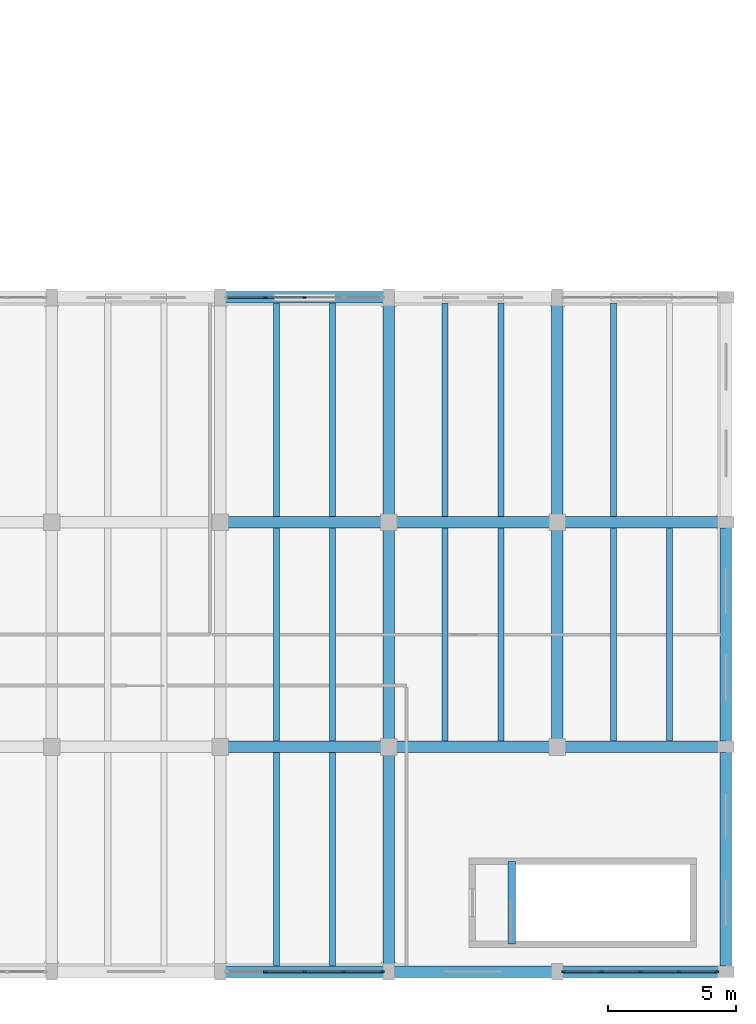
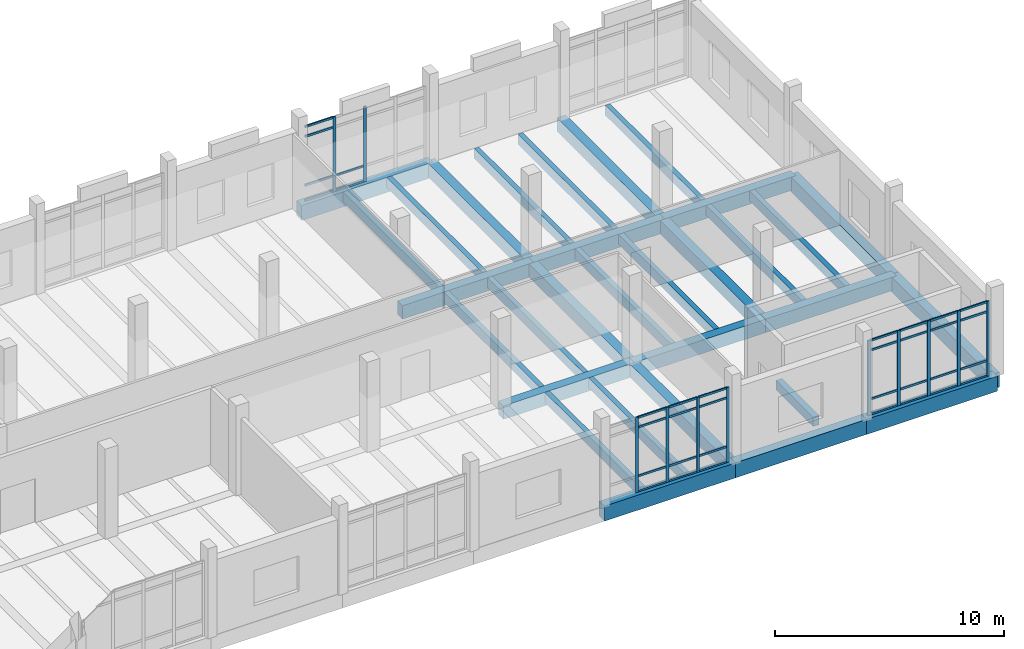
# One storey, part 26 of 76: 45 members, 31 beams, 3 elements without a shape of their own.
"""IFC4 building model written with IfcOpenShell, lengths in metres."""

from ifc_helpers import new_model, si_unit, direction, frame, origin, origin_2d, place, context, subcontext, project, spatial, rectangle, extrude, material, material_profile, profile_set, type_object, element, aggregate, save


model = new_model("IFC4")

# Units and contexts
model_context = context("Model", 3, precision=1e-05, world=origin(), true_north=direction((0.0, 1.0)))
body_context = subcontext(model_context, "Body", "Model", "MODEL_VIEW")
ifc_project = project(units=[si_unit("LENGTHUNIT", "METRE"), si_unit("AREAUNIT", "SQUARE_METRE"), si_unit("VOLUMEUNIT", "CUBIC_METRE"), si_unit("PLANEANGLEUNIT", "RADIAN"), si_unit("MASSUNIT", "GRAM", prefix="KILO")], contexts=[model_context])

# Site, building, storey
site_placement = place(None, origin())
site = spatial("IfcSite", under=ifc_project, at=site_placement, CompositionType="ELEMENT")
building_placement = place(site_placement, origin())
building = spatial("IfcBuilding", under=site, at=building_placement, Name="Dornvale Research Institute", CompositionType="ELEMENT")
storey_placement = place(building_placement, frame((0.0, 0.0, 15.0)))
storey = spatial("IfcBuildingStorey", under=building, at=storey_placement, Name="L03", CompositionType="ELEMENT", Elevation=15.0)

# Beams
ifc_material_1 = material(Name="Concrete f'c 45 MPa (C35/45)", Category="concrete")
ifc_material_profile_1 = material_profile(ifc_material_1, rectangle(XDim=0.300048828125, YDim=0.5, at=origin_2d()), Name="RC 300x500")
ifc_profile_set_1 = profile_set([ifc_material_profile_1], Name="Concrete f'c 45 MPa (C35/45)")
beam_type_1 = type_object("IfcBeamType", Name="Beam_RC300x500_Trim", PredefinedType="BEAM", material=ifc_profile_set_1)
beam_1_placement = place(storey_placement, frame((169.820068359375, 1.080078125, -0.25), z_axis=(0.0, 1.0, 0.0), x_axis=(-1.0, 0.0, 0.0)))
element("IfcBeam", 1, at=beam_1_placement, inside=storey, type_object=beam_type_1, Name="L03 ST-6 stair landing trimmer beam #89", PredefinedType="BEAM", context=body_context, shape_type="SweptSolid", body=[
    extrude(rectangle(XDim=0.300048828125, YDim=0.5, at=origin_2d()), origin(), (0.0, 0.0, 1.0), 3.239990234375),
])
ifc_material_2 = material(Name="Concrete f'c 45 MPa (C35/45)", Category="concrete")
ifc_material_profile_2 = material_profile(ifc_material_2, rectangle(XDim=0.449951171875, YDim=0.715087890625, at=origin_2d()), Name="RC 450x715")
ifc_profile_set_2 = profile_set([ifc_material_profile_2], Name="Concrete f'c 45 MPa (C35/45)")
beam_type_2 = type_object("IfcBeamType", Name="Beam_RC450x715_Lab", PredefinedType="BEAM", material=ifc_profile_set_2)
for number, where, z_axis, x_axis, name in (
    (2, (158.39990234375, 8.800048828125, -0.357421875), (1.0, 0.0, 0.0), (0.0, 1.0, 0.0), "L03 primary girder #1000"),
    (3, (165.0, 8.800048828125, -0.357421875), (1.0, 0.0, 0.0), (0.0, 1.0, 0.0), "L03 primary girder #1001"),
):
    element("IfcBeam", number, at=place(storey_placement, frame(where, z_axis=z_axis, x_axis=x_axis)), inside=storey, type_object=beam_type_2, Name=name, PredefinedType="BEAM", context=body_context, shape_type="SweptSolid", body=[
        extrude(rectangle(XDim=0.449951171875, YDim=0.715087890625, at=origin_2d()), origin(), (0.0, 0.0, 1.0), 6.60009765625),
    ])
beam_2_placement = place(storey_placement, frame((171.60009765625, 8.800048828125, -0.357421875), z_axis=(1.0, 0.0, 0.0), x_axis=(0.0, 1.0, 0.0)))
element("IfcBeam", 4, at=beam_2_placement, inside=storey, type_object=beam_type_2, Name="L03 primary girder #1002", PredefinedType="BEAM", context=body_context, shape_type="SweptSolid", body=[
    extrude(rectangle(XDim=0.449951171875, YDim=0.715087890625, at=origin_2d()), origin(), (0.0, 0.0, 1.0), 6.599853515625),
])
for number, where, z_axis, x_axis, name in (
    (5, (158.39990234375, 17.60009765625, -0.357421875), (1.0, 0.0, 0.0), (0.0, 1.0, 0.0), "L03 primary girder #1012"),
    (6, (165.0, 17.60009765625, -0.357421875), (1.0, 0.0, 0.0), (0.0, 1.0, 0.0), "L03 primary girder #1013"),
):
    element("IfcBeam", number, at=place(storey_placement, frame(where, z_axis=z_axis, x_axis=x_axis)), inside=storey, type_object=beam_type_2, Name=name, PredefinedType="BEAM", context=body_context, shape_type="SweptSolid", body=[
        extrude(rectangle(XDim=0.449951171875, YDim=0.715087890625, at=origin_2d()), origin(), (0.0, 0.0, 1.0), 6.60009765625),
    ])
beam_3_placement = place(storey_placement, frame((171.60009765625, 17.60009765625, -0.357421875), z_axis=(1.0, 0.0, 0.0), x_axis=(0.0, 1.0, 0.0)))
element("IfcBeam", 7, at=beam_3_placement, inside=storey, type_object=beam_type_2, Name="L03 primary girder #1014", PredefinedType="BEAM", context=body_context, shape_type="SweptSolid", body=[
    extrude(rectangle(XDim=0.449951171875, YDim=0.715087890625, at=origin_2d()), origin(), (0.0, 0.0, 1.0), 6.599853515625),
])
for number, where, z_axis, x_axis, name in (
    (8, (165.0, 0.0, -0.357421875), (0.0, 1.0, 0.0), (-1.0, 0.0, 0.0), "L03 transverse girder #1056"),
    (9, (165.0, 8.800048828125, -0.357421875), (0.0, 1.0, 0.0), (-1.0, 0.0, 0.0), "L03 transverse girder #1057"),
):
    element("IfcBeam", number, at=place(storey_placement, frame(where, z_axis=z_axis, x_axis=x_axis)), inside=storey, type_object=beam_type_2, Name=name, PredefinedType="BEAM", context=body_context, shape_type="SweptSolid", body=[
        extrude(rectangle(XDim=0.449951171875, YDim=0.715087890625, at=origin_2d()), origin(), (0.0, 0.0, 1.0), 8.800048828125),
    ])
beam_4_placement = place(storey_placement, frame((165.0, 17.60009765625, -0.357421875), z_axis=(0.0, 1.0, 0.0), x_axis=(-1.0, 0.0, 0.0)))
element("IfcBeam", 10, at=beam_4_placement, inside=storey, type_object=beam_type_2, Name="L03 transverse girder #1058", PredefinedType="BEAM", context=body_context, shape_type="SweptSolid", body=[
    extrude(rectangle(XDim=0.449951171875, YDim=0.715087890625, at=origin_2d()), origin(), (0.0, 0.0, 1.0), 8.7998046875),
])
beam_5_placement = place(storey_placement, frame((171.60009765625, 8.800048828125, -0.357421875), z_axis=(0.0, 1.0, 0.0), x_axis=(-1.0, 0.0, 0.0)))
element("IfcBeam", 11, at=beam_5_placement, inside=storey, type_object=beam_type_2, Name="L03 transverse girder #1059", PredefinedType="BEAM", context=body_context, shape_type="SweptSolid", body=[
    extrude(rectangle(XDim=0.449951171875, YDim=0.715087890625, at=origin_2d()), origin(), (0.0, 0.0, 1.0), 8.800048828125),
])
beam_6_placement = place(storey_placement, frame((171.60009765625, 17.60009765625, -0.357421875), z_axis=(0.0, 1.0, 0.0), x_axis=(-1.0, 0.0, 0.0)))
element("IfcBeam", 12, at=beam_6_placement, inside=storey, type_object=beam_type_2, Name="L03 transverse girder #1060", PredefinedType="BEAM", context=body_context, shape_type="SweptSolid", body=[
    extrude(rectangle(XDim=0.449951171875, YDim=0.715087890625, at=origin_2d()), origin(), (0.0, 0.0, 1.0), 8.7998046875),
])
ifc_material_3 = material(Name="Concrete f'c 45 MPa (C35/45)", Category="concrete")
ifc_material_profile_3 = material_profile(ifc_material_3, rectangle(XDim=0.239990234375, YDim=0.534912109375, at=origin_2d()), Name="RC 240x535")
ifc_profile_set_3 = profile_set([ifc_material_profile_3], Name="Concrete f'c 45 MPa (C35/45)")
beam_type_3 = type_object("IfcBeamType", Name="Joist_RC240x535_Waffle", PredefinedType="JOIST", material=ifc_profile_set_3)
for number, where, z_axis, x_axis, name in (
    (13, (160.60009765625, 0.22509765625, -0.267578125), (0.0, 1.0, 0.0), (-1.0, 0.0, 0.0), "L03 laboratory waffle joist #539"),
    (14, (162.800048828125, 0.22509765625, -0.267578125), (0.0, 1.0, 0.0), (-1.0, 0.0, 0.0), "L03 laboratory waffle joist #540"),
):
    element("IfcBeam", number, at=place(storey_placement, frame(where, z_axis=z_axis, x_axis=x_axis)), inside=storey, type_object=beam_type_3, Name=name, PredefinedType="JOIST", context=body_context, shape_type="SweptSolid", body=[
        extrude(rectangle(XDim=0.239990234375, YDim=0.534912109375, at=origin_2d()), origin(), (0.0, 0.0, 1.0), 8.349853515625),
    ])
for number, where, z_axis, x_axis, name in (
    (15, (160.60009765625, 9.02490234375, -0.267578125), (0.0, 1.0, 0.0), (-1.0, 0.0, 0.0), "L03 laboratory waffle joist #541"),
    (16, (162.800048828125, 9.02490234375, -0.267578125), (0.0, 1.0, 0.0), (-1.0, 0.0, 0.0), "L03 laboratory waffle joist #542"),
    (17, (160.60009765625, 17.824951171875, -0.267578125), (0.0, 1.0, 0.0), (-1.0, 0.0, 0.0), "L03 laboratory waffle joist #543"),
    (18, (162.800048828125, 17.824951171875, -0.267578125), (0.0, 1.0, 0.0), (-1.0, 0.0, 0.0), "L03 laboratory waffle joist #544"),
    (19, (167.199951171875, 9.02490234375, -0.267578125), (0.0, 1.0, 0.0), (-1.0, 0.0, 0.0), "L03 laboratory waffle joist #545"),
    (20, (169.39990234375, 9.02490234375, -0.267578125), (0.0, 1.0, 0.0), (-1.0, 0.0, 0.0), "L03 laboratory waffle joist #546"),
    (21, (167.199951171875, 17.824951171875, -0.267578125), (0.0, 1.0, 0.0), (-1.0, 0.0, 0.0), "L03 laboratory waffle joist #547"),
    (22, (169.39990234375, 17.824951171875, -0.267578125), (0.0, 1.0, 0.0), (-1.0, 0.0, 0.0), "L03 laboratory waffle joist #548"),
    (23, (173.800048828125, 9.02490234375, -0.267578125), (0.0, 1.0, 0.0), (-1.0, 0.0, 0.0), "L03 laboratory waffle joist #549"),
    (24, (176.0, 9.02490234375, -0.267578125), (0.0, 1.0, 0.0), (-1.0, 0.0, 0.0), "L03 laboratory waffle joist #550"),
    (25, (173.800048828125, 17.824951171875, -0.267578125), (0.0, 1.0, 0.0), (-1.0, 0.0, 0.0), "L03 laboratory waffle joist #551"),
):
    element("IfcBeam", number, at=place(storey_placement, frame(where, z_axis=z_axis, x_axis=x_axis)), inside=storey, type_object=beam_type_3, Name=name, PredefinedType="JOIST", context=body_context, shape_type="SweptSolid", body=[
        extrude(rectangle(XDim=0.239990234375, YDim=0.534912109375, at=origin_2d()), origin(), (0.0, 0.0, 1.0), 8.35009765625),
    ])

# Curtain wall, members
ifc_material_4 = material(Name="Low-E Argon Double Insulating Glazing Unit", Category="glass")
curtain_wall_type_1 = type_object("IfcCurtainWallType", Name="UnitisedCurtainWall_V3_6150x4000", PredefinedType="USERDEFINED", material=ifc_material_4)
curtain_wall_1_placement = place(storey_placement, origin())
curtain_wall_1 = element("IfcCurtainWall", 26, at=curtain_wall_1_placement, inside=storey, type_object=curtain_wall_type_1, Name="L03 V3 unitised curtain wall CW-06 #58", ObjectType="UNITISED CURTAIN WALL", PredefinedType="USERDEFINED")
ifc_material_5 = material(Name="Anodized Aluminum AA 6063-T6 Thermally Broken Frame", Category="aluminium")
ifc_material_profile_4 = material_profile(ifc_material_5, rectangle(XDim=0.06494140625, YDim=0.14990234375, at=origin_2d()), Name="ALU MULLION 65x150")
ifc_profile_set_4 = profile_set([ifc_material_profile_4], Name="Anodized Aluminum AA 6063-T6 Thermally Broken Frame")
member_type_1 = type_object("IfcMemberType", Name="Mullion_CW_65x150", PredefinedType="MULLION", material=ifc_profile_set_4)
member_1_placement = place(storey_placement, frame((160.16259765625, 26.39990234375, 0.0), z_axis=(0.0, 0.0, 1.0), x_axis=(0.0, 1.0, 0.0)))
member_1 = element("IfcMember", 27, at=member_1_placement, type_object=member_type_1, Name="CW-06 mullion 2", PredefinedType="MULLION", context=body_context, shape_type="SweptSolid", body=[
    extrude(rectangle(XDim=0.06494140625, YDim=0.14990234375, at=origin_2d()), origin(), (0.0, 0.0, 1.0), 4.0),
])
member_2_placement = place(storey_placement, frame((161.699951171875, 26.39990234375, 0.0), z_axis=(0.0, 0.0, 1.0), x_axis=(0.0, 1.0, 0.0)))
member_2 = element("IfcMember", 28, at=member_2_placement, type_object=member_type_1, Name="CW-06 mullion 3", PredefinedType="MULLION", context=body_context, shape_type="SweptSolid", body=[
    extrude(rectangle(XDim=0.06494140625, YDim=0.14990234375, at=origin_2d()), origin(), (0.0, 0.0, 1.0), 4.0),
])

ifc_material_6 = material(Name="Low-E Argon Double Insulating Glazing Unit", Category="glass")
curtain_wall_type_2 = type_object("IfcCurtainWallType", Name="UnitisedCurtainWall_V3_6050x4000", PredefinedType="USERDEFINED", material=ifc_material_6)
curtain_wall_2_placement = place(storey_placement, origin())
curtain_wall_2 = element("IfcCurtainWall", 29, at=curtain_wall_2_placement, inside=storey, type_object=curtain_wall_type_2, Name="L03 V3 unitised curtain wall CW-07 #60", ObjectType="UNITISED CURTAIN WALL", PredefinedType="USERDEFINED")
member_3_placement = place(storey_placement, frame((177.842529296875, 0.0, 0.0), z_axis=(0.0, 0.0, 1.0), x_axis=(0.0, -1.0, 0.0)))
member_3 = element("IfcMember", 30, at=member_3_placement, type_object=member_type_1, Name="CW-07 mullion 1", PredefinedType="MULLION", context=body_context, shape_type="SweptSolid", body=[
    extrude(rectangle(XDim=0.06494140625, YDim=0.14990234375, at=origin_2d()), origin(), (0.0, 0.0, 1.0), 4.0),
])
member_4_placement = place(storey_placement, frame((176.362548828125, 0.0, 0.0), z_axis=(0.0, 0.0, 1.0), x_axis=(0.0, -1.0, 0.0)))
member_4 = element("IfcMember", 31, at=member_4_placement, type_object=member_type_1, Name="CW-07 mullion 2", PredefinedType="MULLION", context=body_context, shape_type="SweptSolid", body=[
    extrude(rectangle(XDim=0.06494140625, YDim=0.14990234375, at=origin_2d()), origin(), (0.0, 0.0, 1.0), 4.0),
])
member_5_placement = place(storey_placement, frame((174.85009765625, 0.0, 0.0), z_axis=(0.0, 0.0, 1.0), x_axis=(0.0, -1.0, 0.0)))
member_5 = element("IfcMember", 32, at=member_5_placement, type_object=member_type_1, Name="CW-07 mullion 3", PredefinedType="MULLION", context=body_context, shape_type="SweptSolid", body=[
    extrude(rectangle(XDim=0.06494140625, YDim=0.14990234375, at=origin_2d()), origin(), (0.0, 0.0, 1.0), 4.0),
])
member_6_placement = place(storey_placement, frame((173.33740234375, 0.0, 0.0), z_axis=(0.0, 0.0, 1.0), x_axis=(0.0, -1.0, 0.0)))
member_6 = element("IfcMember", 33, at=member_6_placement, type_object=member_type_1, Name="CW-07 mullion 4", PredefinedType="MULLION", context=body_context, shape_type="SweptSolid", body=[
    extrude(rectangle(XDim=0.06494140625, YDim=0.14990234375, at=origin_2d()), origin(), (0.0, 0.0, 1.0), 4.0),
])
member_7_placement = place(storey_placement, frame((171.857421875, 0.0, 0.0), z_axis=(0.0, 0.0, 1.0), x_axis=(0.0, -1.0, 0.0)))
member_7 = element("IfcMember", 34, at=member_7_placement, type_object=member_type_1, Name="CW-07 mullion 5", PredefinedType="MULLION", context=body_context, shape_type="SweptSolid", body=[
    extrude(rectangle(XDim=0.06494140625, YDim=0.14990234375, at=origin_2d()), origin(), (0.0, 0.0, 1.0), 4.0),
])

curtain_wall_3_placement = place(storey_placement, origin())
curtain_wall_3 = element("IfcCurtainWall", 35, at=curtain_wall_3_placement, inside=storey, type_object=curtain_wall_type_1, Name="L03 V3 unitised curtain wall CW-06 #61", ObjectType="UNITISED CURTAIN WALL", PredefinedType="USERDEFINED")
member_8_placement = place(storey_placement, frame((164.742431640625, 0.0, 0.0), z_axis=(0.0, 0.0, 1.0), x_axis=(0.0, -1.0, 0.0)))
member_8 = element("IfcMember", 36, at=member_8_placement, type_object=member_type_1, Name="CW-06 mullion 1", PredefinedType="MULLION", context=body_context, shape_type="SweptSolid", body=[
    extrude(rectangle(XDim=0.06494140625, YDim=0.14990234375, at=origin_2d()), origin(), (0.0, 0.0, 1.0), 4.0),
])
member_9_placement = place(storey_placement, frame((163.237548828125, 0.0, 0.0), z_axis=(0.0, 0.0, 1.0), x_axis=(0.0, -1.0, 0.0)))
member_9 = element("IfcMember", 37, at=member_9_placement, type_object=member_type_1, Name="CW-06 mullion 2", PredefinedType="MULLION", context=body_context, shape_type="SweptSolid", body=[
    extrude(rectangle(XDim=0.06494140625, YDim=0.14990234375, at=origin_2d()), origin(), (0.0, 0.0, 1.0), 4.0),
])
member_10_placement = place(storey_placement, frame((161.699951171875, 0.0, 0.0), z_axis=(0.0, 0.0, 1.0), x_axis=(0.0, -1.0, 0.0)))
member_10 = element("IfcMember", 38, at=member_10_placement, type_object=member_type_1, Name="CW-06 mullion 3", PredefinedType="MULLION", context=body_context, shape_type="SweptSolid", body=[
    extrude(rectangle(XDim=0.06494140625, YDim=0.14990234375, at=origin_2d()), origin(), (0.0, 0.0, 1.0), 4.0),
])
member_11_placement = place(storey_placement, frame((160.16259765625, 0.0, 0.0), z_axis=(0.0, 0.0, 1.0), x_axis=(0.0, -1.0, 0.0)))
member_11 = element("IfcMember", 39, at=member_11_placement, type_object=member_type_1, Name="CW-06 mullion 4", PredefinedType="MULLION", context=body_context, shape_type="SweptSolid", body=[
    extrude(rectangle(XDim=0.06494140625, YDim=0.14990234375, at=origin_2d()), origin(), (0.0, 0.0, 1.0), 4.0),
])

# Beams
ifc_material_7 = material(Name="Concrete f'c 45 MPa (C35/45)", Category="concrete")
ifc_material_profile_5 = material_profile(ifc_material_7, rectangle(XDim=0.449951171875, YDim=0.800048828125, at=origin_2d()), Name="RC 450x800")
ifc_profile_set_5 = profile_set([ifc_material_profile_5], Name="Concrete f'c 45 MPa (C35/45)")
beam_type_4 = type_object("IfcBeamType", Name="Spandrel_RC450x800_Ext", PredefinedType="SPANDREL", material=ifc_profile_set_5)
for number, where, z_axis, x_axis, name in (
    (40, (158.39990234375, 0.0, -0.39990234375), (1.0, 0.0, 0.0), (0.0, 1.0, 0.0), "L03 perimeter spandrel #988"),
    (41, (165.0, 0.0, -0.39990234375), (1.0, 0.0, 0.0), (0.0, 1.0, 0.0), "L03 perimeter spandrel #989"),
):
    element("IfcBeam", number, at=place(storey_placement, frame(where, z_axis=z_axis, x_axis=x_axis)), inside=storey, type_object=beam_type_4, Name=name, PredefinedType="SPANDREL", context=body_context, shape_type="SweptSolid", body=[
        extrude(rectangle(XDim=0.449951171875, YDim=0.800048828125, at=origin_2d()), origin(), (0.0, 0.0, 1.0), 6.60009765625),
    ])
beam_7_placement = place(storey_placement, frame((171.60009765625, 0.0, -0.39990234375), z_axis=(1.0, 0.0, 0.0), x_axis=(0.0, 1.0, 0.0)))
element("IfcBeam", 42, at=beam_7_placement, inside=storey, type_object=beam_type_4, Name="L03 perimeter spandrel #990", PredefinedType="SPANDREL", context=body_context, shape_type="SweptSolid", body=[
    extrude(rectangle(XDim=0.449951171875, YDim=0.800048828125, at=origin_2d()), origin(), (0.0, 0.0, 1.0), 6.599853515625),
])
beam_8_placement = place(storey_placement, frame((158.39990234375, 26.39990234375, -0.39990234375), z_axis=(1.0, 0.0, 0.0), x_axis=(0.0, 1.0, 0.0)))
element("IfcBeam", 43, at=beam_8_placement, inside=storey, type_object=beam_type_4, Name="L03 perimeter spandrel #1024", PredefinedType="SPANDREL", context=body_context, shape_type="SweptSolid", body=[
    extrude(rectangle(XDim=0.449951171875, YDim=0.800048828125, at=origin_2d()), origin(), (0.0, 0.0, 1.0), 6.60009765625),
])
for number, where, z_axis, x_axis, name in (
    (44, (178.199951171875, 0.0, -0.39990234375), (0.0, 1.0, 0.0), (-1.0, 0.0, 0.0), "L03 perimeter spandrel #1061"),
    (45, (178.199951171875, 8.800048828125, -0.39990234375), (0.0, 1.0, 0.0), (-1.0, 0.0, 0.0), "L03 perimeter spandrel #1062"),
):
    element("IfcBeam", number, at=place(storey_placement, frame(where, z_axis=z_axis, x_axis=x_axis)), inside=storey, type_object=beam_type_4, Name=name, PredefinedType="SPANDREL", context=body_context, shape_type="SweptSolid", body=[
        extrude(rectangle(XDim=0.449951171875, YDim=0.800048828125, at=origin_2d()), origin(), (0.0, 0.0, 1.0), 8.800048828125),
    ])

# Member
ifc_material_8 = material(Name="Anodized Aluminum AA 6063-T6 Thermally Broken Frame", Category="aluminium")
ifc_material_profile_6 = material_profile(ifc_material_8, rectangle(XDim=0.06494140625, YDim=0.110107421875, at=origin_2d()), Name="ALU TRANSOM 65x110")
ifc_profile_set_6 = profile_set([ifc_material_profile_6], Name="Anodized Aluminum AA 6063-T6 Thermally Broken Frame")
member_type_2 = type_object("IfcMemberType", Name="Transom_CW_65x110", PredefinedType="USERDEFINED", material=ifc_profile_set_6)
member_12_placement = place(storey_placement, frame((158.68994140625, 26.39990234375, 0.032470703125), z_axis=(1.0, 0.0, 0.0), x_axis=(0.0, 1.0, 0.0)))
member_12 = element("IfcMember", 46, at=member_12_placement, type_object=member_type_2, Name="CW-06 transom 1.1", ObjectType="TRANSOM", PredefinedType="USERDEFINED", context=body_context, shape_type="SweptSolid", body=[
    extrude(rectangle(XDim=0.06494140625, YDim=0.110107421875, at=origin_2d()), origin(), (0.0, 0.0, 1.0), 1.43994140625),
])

member_13_placement = place(storey_placement, frame((158.68994140625, 26.39990234375, 0.85009765625), z_axis=(1.0, 0.0, 0.0), x_axis=(0.0, 1.0, 0.0)))
member_13 = element("IfcMember", 47, at=member_13_placement, type_object=member_type_2, Name="CW-06 transom 1.2", ObjectType="TRANSOM", PredefinedType="USERDEFINED", context=body_context, shape_type="SweptSolid", body=[
    extrude(rectangle(XDim=0.06494140625, YDim=0.110107421875, at=origin_2d()), origin(), (0.0, 0.0, 1.0), 1.43994140625),
])

member_14_placement = place(storey_placement, frame((158.68994140625, 26.39990234375, 3.449951171875), z_axis=(1.0, 0.0, 0.0), x_axis=(0.0, 1.0, 0.0)))
member_14 = element("IfcMember", 48, at=member_14_placement, type_object=member_type_2, Name="CW-06 transom 1.3", ObjectType="TRANSOM", PredefinedType="USERDEFINED", context=body_context, shape_type="SweptSolid", body=[
    extrude(rectangle(XDim=0.06494140625, YDim=0.110107421875, at=origin_2d()), origin(), (0.0, 0.0, 1.0), 1.43994140625),
])

member_15_placement = place(storey_placement, frame((158.68994140625, 26.39990234375, 3.967529296875), z_axis=(1.0, 0.0, 0.0), x_axis=(0.0, 1.0, 0.0)))
member_15 = element("IfcMember", 49, at=member_15_placement, type_object=member_type_2, Name="CW-06 transom 1.4", ObjectType="TRANSOM", PredefinedType="USERDEFINED", context=body_context, shape_type="SweptSolid", body=[
    extrude(rectangle(XDim=0.06494140625, YDim=0.110107421875, at=origin_2d()), origin(), (0.0, 0.0, 1.0), 1.43994140625),
])

member_16_placement = place(storey_placement, frame((160.195068359375, 26.39990234375, 0.032470703125), z_axis=(1.0, 0.0, 0.0), x_axis=(0.0, 1.0, 0.0)))
member_16 = element("IfcMember", 50, at=member_16_placement, type_object=member_type_2, Name="CW-06 transom 2.1", ObjectType="TRANSOM", PredefinedType="USERDEFINED", context=body_context, shape_type="SweptSolid", body=[
    extrude(rectangle(XDim=0.06494140625, YDim=0.110107421875, at=origin_2d()), origin(), (0.0, 0.0, 1.0), 1.472412109375),
])

member_17_placement = place(storey_placement, frame((160.195068359375, 26.39990234375, 0.85009765625), z_axis=(1.0, 0.0, 0.0), x_axis=(0.0, 1.0, 0.0)))
member_17 = element("IfcMember", 51, at=member_17_placement, type_object=member_type_2, Name="CW-06 transom 2.2", ObjectType="TRANSOM", PredefinedType="USERDEFINED", context=body_context, shape_type="SweptSolid", body=[
    extrude(rectangle(XDim=0.06494140625, YDim=0.110107421875, at=origin_2d()), origin(), (0.0, 0.0, 1.0), 1.472412109375),
])

aggregate(curtain_wall_1, [member_1, member_2, member_12, member_13, member_14, member_15, member_16, member_17])

member_18_placement = place(storey_placement, frame((177.81005859375, 0.0, 0.032470703125), z_axis=(-1.0, 0.0, 0.0), x_axis=(0.0, -1.0, 0.0)))
member_18 = element("IfcMember", 52, at=member_18_placement, type_object=member_type_2, Name="CW-07 transom 1.1", ObjectType="TRANSOM", PredefinedType="USERDEFINED", context=body_context, shape_type="SweptSolid", body=[
    extrude(rectangle(XDim=0.06494140625, YDim=0.110107421875, at=origin_2d()), origin(), (0.0, 0.0, 1.0), 1.4150390625),
])

member_19_placement = place(storey_placement, frame((177.81005859375, 0.0, 0.85009765625), z_axis=(-1.0, 0.0, 0.0), x_axis=(0.0, -1.0, 0.0)))
member_19 = element("IfcMember", 53, at=member_19_placement, type_object=member_type_2, Name="CW-07 transom 1.2", ObjectType="TRANSOM", PredefinedType="USERDEFINED", context=body_context, shape_type="SweptSolid", body=[
    extrude(rectangle(XDim=0.06494140625, YDim=0.110107421875, at=origin_2d()), origin(), (0.0, 0.0, 1.0), 1.4150390625),
])

member_20_placement = place(storey_placement, frame((177.81005859375, 0.0, 3.449951171875), z_axis=(-1.0, 0.0, 0.0), x_axis=(0.0, -1.0, 0.0)))
member_20 = element("IfcMember", 54, at=member_20_placement, type_object=member_type_2, Name="CW-07 transom 1.3", ObjectType="TRANSOM", PredefinedType="USERDEFINED", context=body_context, shape_type="SweptSolid", body=[
    extrude(rectangle(XDim=0.06494140625, YDim=0.110107421875, at=origin_2d()), origin(), (0.0, 0.0, 1.0), 1.4150390625),
])

member_21_placement = place(storey_placement, frame((177.81005859375, 0.0, 3.967529296875), z_axis=(-1.0, 0.0, 0.0), x_axis=(0.0, -1.0, 0.0)))
member_21 = element("IfcMember", 55, at=member_21_placement, type_object=member_type_2, Name="CW-07 transom 1.4", ObjectType="TRANSOM", PredefinedType="USERDEFINED", context=body_context, shape_type="SweptSolid", body=[
    extrude(rectangle(XDim=0.06494140625, YDim=0.110107421875, at=origin_2d()), origin(), (0.0, 0.0, 1.0), 1.4150390625),
])

member_22_placement = place(storey_placement, frame((176.330078125, 0.0, 0.032470703125), z_axis=(-1.0, 0.0, 0.0), x_axis=(0.0, -1.0, 0.0)))
member_22 = element("IfcMember", 56, at=member_22_placement, type_object=member_type_2, Name="CW-07 transom 2.1", ObjectType="TRANSOM", PredefinedType="USERDEFINED", context=body_context, shape_type="SweptSolid", body=[
    extrude(rectangle(XDim=0.06494140625, YDim=0.110107421875, at=origin_2d()), origin(), (0.0, 0.0, 1.0), 1.447509765625),
])

member_23_placement = place(storey_placement, frame((176.330078125, 0.0, 0.85009765625), z_axis=(-1.0, 0.0, 0.0), x_axis=(0.0, -1.0, 0.0)))
member_23 = element("IfcMember", 57, at=member_23_placement, type_object=member_type_2, Name="CW-07 transom 2.2", ObjectType="TRANSOM", PredefinedType="USERDEFINED", context=body_context, shape_type="SweptSolid", body=[
    extrude(rectangle(XDim=0.06494140625, YDim=0.110107421875, at=origin_2d()), origin(), (0.0, 0.0, 1.0), 1.447509765625),
])

member_24_placement = place(storey_placement, frame((176.330078125, 0.0, 3.449951171875), z_axis=(-1.0, 0.0, 0.0), x_axis=(0.0, -1.0, 0.0)))
member_24 = element("IfcMember", 58, at=member_24_placement, type_object=member_type_2, Name="CW-07 transom 2.3", ObjectType="TRANSOM", PredefinedType="USERDEFINED", context=body_context, shape_type="SweptSolid", body=[
    extrude(rectangle(XDim=0.06494140625, YDim=0.110107421875, at=origin_2d()), origin(), (0.0, 0.0, 1.0), 1.447509765625),
])

member_25_placement = place(storey_placement, frame((176.330078125, 0.0, 3.967529296875), z_axis=(-1.0, 0.0, 0.0), x_axis=(0.0, -1.0, 0.0)))
member_25 = element("IfcMember", 59, at=member_25_placement, type_object=member_type_2, Name="CW-07 transom 2.4", ObjectType="TRANSOM", PredefinedType="USERDEFINED", context=body_context, shape_type="SweptSolid", body=[
    extrude(rectangle(XDim=0.06494140625, YDim=0.110107421875, at=origin_2d()), origin(), (0.0, 0.0, 1.0), 1.447509765625),
])

member_26_placement = place(storey_placement, frame((174.8173828125, 0.0, 0.032470703125), z_axis=(-1.0, 0.0, 0.0), x_axis=(0.0, -1.0, 0.0)))
member_26 = element("IfcMember", 60, at=member_26_placement, type_object=member_type_2, Name="CW-07 transom 3.1", ObjectType="TRANSOM", PredefinedType="USERDEFINED", context=body_context, shape_type="SweptSolid", body=[
    extrude(rectangle(XDim=0.06494140625, YDim=0.110107421875, at=origin_2d()), origin(), (0.0, 0.0, 1.0), 1.447265625),
])

member_27_placement = place(storey_placement, frame((174.8173828125, 0.0, 0.85009765625), z_axis=(-1.0, 0.0, 0.0), x_axis=(0.0, -1.0, 0.0)))
member_27 = element("IfcMember", 61, at=member_27_placement, type_object=member_type_2, Name="CW-07 transom 3.2", ObjectType="TRANSOM", PredefinedType="USERDEFINED", context=body_context, shape_type="SweptSolid", body=[
    extrude(rectangle(XDim=0.06494140625, YDim=0.110107421875, at=origin_2d()), origin(), (0.0, 0.0, 1.0), 1.447265625),
])

member_28_placement = place(storey_placement, frame((174.8173828125, 0.0, 3.449951171875), z_axis=(-1.0, 0.0, 0.0), x_axis=(0.0, -1.0, 0.0)))
member_28 = element("IfcMember", 62, at=member_28_placement, type_object=member_type_2, Name="CW-07 transom 3.3", ObjectType="TRANSOM", PredefinedType="USERDEFINED", context=body_context, shape_type="SweptSolid", body=[
    extrude(rectangle(XDim=0.06494140625, YDim=0.110107421875, at=origin_2d()), origin(), (0.0, 0.0, 1.0), 1.447265625),
])

member_29_placement = place(storey_placement, frame((174.8173828125, 0.0, 3.967529296875), z_axis=(-1.0, 0.0, 0.0), x_axis=(0.0, -1.0, 0.0)))
member_29 = element("IfcMember", 63, at=member_29_placement, type_object=member_type_2, Name="CW-07 transom 3.4", ObjectType="TRANSOM", PredefinedType="USERDEFINED", context=body_context, shape_type="SweptSolid", body=[
    extrude(rectangle(XDim=0.06494140625, YDim=0.110107421875, at=origin_2d()), origin(), (0.0, 0.0, 1.0), 1.447265625),
])

member_30_placement = place(storey_placement, frame((173.304931640625, 0.0, 0.032470703125), z_axis=(-1.0, 0.0, 0.0), x_axis=(0.0, -1.0, 0.0)))
member_30 = element("IfcMember", 64, at=member_30_placement, type_object=member_type_2, Name="CW-07 transom 4.1", ObjectType="TRANSOM", PredefinedType="USERDEFINED", context=body_context, shape_type="SweptSolid", body=[
    extrude(rectangle(XDim=0.06494140625, YDim=0.110107421875, at=origin_2d()), origin(), (0.0, 0.0, 1.0), 1.4150390625),
])

member_31_placement = place(storey_placement, frame((173.304931640625, 0.0, 0.85009765625), z_axis=(-1.0, 0.0, 0.0), x_axis=(0.0, -1.0, 0.0)))
member_31 = element("IfcMember", 65, at=member_31_placement, type_object=member_type_2, Name="CW-07 transom 4.2", ObjectType="TRANSOM", PredefinedType="USERDEFINED", context=body_context, shape_type="SweptSolid", body=[
    extrude(rectangle(XDim=0.06494140625, YDim=0.110107421875, at=origin_2d()), origin(), (0.0, 0.0, 1.0), 1.4150390625),
])

member_32_placement = place(storey_placement, frame((173.304931640625, 0.0, 3.449951171875), z_axis=(-1.0, 0.0, 0.0), x_axis=(0.0, -1.0, 0.0)))
member_32 = element("IfcMember", 66, at=member_32_placement, type_object=member_type_2, Name="CW-07 transom 4.3", ObjectType="TRANSOM", PredefinedType="USERDEFINED", context=body_context, shape_type="SweptSolid", body=[
    extrude(rectangle(XDim=0.06494140625, YDim=0.110107421875, at=origin_2d()), origin(), (0.0, 0.0, 1.0), 1.4150390625),
])

member_33_placement = place(storey_placement, frame((173.304931640625, 0.0, 3.967529296875), z_axis=(-1.0, 0.0, 0.0), x_axis=(0.0, -1.0, 0.0)))
member_33 = element("IfcMember", 67, at=member_33_placement, type_object=member_type_2, Name="CW-07 transom 4.4", ObjectType="TRANSOM", PredefinedType="USERDEFINED", context=body_context, shape_type="SweptSolid", body=[
    extrude(rectangle(XDim=0.06494140625, YDim=0.110107421875, at=origin_2d()), origin(), (0.0, 0.0, 1.0), 1.4150390625),
])

aggregate(curtain_wall_2, [member_3, member_4, member_5, member_6, member_7, member_18, member_19, member_20, member_21, member_22, member_23, member_24, member_25, member_26, member_27, member_28, member_29, member_30, member_31, member_32, member_33])

member_34_placement = place(storey_placement, frame((164.7099609375, 0.0, 0.032470703125), z_axis=(-1.0, 0.0, 0.0), x_axis=(0.0, -1.0, 0.0)))
member_34 = element("IfcMember", 68, at=member_34_placement, type_object=member_type_2, Name="CW-06 transom 1.1", ObjectType="TRANSOM", PredefinedType="USERDEFINED", context=body_context, shape_type="SweptSolid", body=[
    extrude(rectangle(XDim=0.06494140625, YDim=0.110107421875, at=origin_2d()), origin(), (0.0, 0.0, 1.0), 1.43994140625),
])

member_35_placement = place(storey_placement, frame((164.7099609375, 0.0, 0.85009765625), z_axis=(-1.0, 0.0, 0.0), x_axis=(0.0, -1.0, 0.0)))
member_35 = element("IfcMember", 69, at=member_35_placement, type_object=member_type_2, Name="CW-06 transom 1.2", ObjectType="TRANSOM", PredefinedType="USERDEFINED", context=body_context, shape_type="SweptSolid", body=[
    extrude(rectangle(XDim=0.06494140625, YDim=0.110107421875, at=origin_2d()), origin(), (0.0, 0.0, 1.0), 1.43994140625),
])

member_36_placement = place(storey_placement, frame((164.7099609375, 0.0, 3.449951171875), z_axis=(-1.0, 0.0, 0.0), x_axis=(0.0, -1.0, 0.0)))
member_36 = element("IfcMember", 70, at=member_36_placement, type_object=member_type_2, Name="CW-06 transom 1.3", ObjectType="TRANSOM", PredefinedType="USERDEFINED", context=body_context, shape_type="SweptSolid", body=[
    extrude(rectangle(XDim=0.06494140625, YDim=0.110107421875, at=origin_2d()), origin(), (0.0, 0.0, 1.0), 1.43994140625),
])

member_37_placement = place(storey_placement, frame((164.7099609375, 0.0, 3.967529296875), z_axis=(-1.0, 0.0, 0.0), x_axis=(0.0, -1.0, 0.0)))
member_37 = element("IfcMember", 71, at=member_37_placement, type_object=member_type_2, Name="CW-06 transom 1.4", ObjectType="TRANSOM", PredefinedType="USERDEFINED", context=body_context, shape_type="SweptSolid", body=[
    extrude(rectangle(XDim=0.06494140625, YDim=0.110107421875, at=origin_2d()), origin(), (0.0, 0.0, 1.0), 1.43994140625),
])

member_38_placement = place(storey_placement, frame((163.205078125, 0.0, 0.032470703125), z_axis=(-1.0, 0.0, 0.0), x_axis=(0.0, -1.0, 0.0)))
member_38 = element("IfcMember", 72, at=member_38_placement, type_object=member_type_2, Name="CW-06 transom 2.1", ObjectType="TRANSOM", PredefinedType="USERDEFINED", context=body_context, shape_type="SweptSolid", body=[
    extrude(rectangle(XDim=0.06494140625, YDim=0.110107421875, at=origin_2d()), origin(), (0.0, 0.0, 1.0), 1.47265625),
])

member_39_placement = place(storey_placement, frame((163.205078125, 0.0, 0.85009765625), z_axis=(-1.0, 0.0, 0.0), x_axis=(0.0, -1.0, 0.0)))
member_39 = element("IfcMember", 73, at=member_39_placement, type_object=member_type_2, Name="CW-06 transom 2.2", ObjectType="TRANSOM", PredefinedType="USERDEFINED", context=body_context, shape_type="SweptSolid", body=[
    extrude(rectangle(XDim=0.06494140625, YDim=0.110107421875, at=origin_2d()), origin(), (0.0, 0.0, 1.0), 1.47265625),
])

member_40_placement = place(storey_placement, frame((163.205078125, 0.0, 3.449951171875), z_axis=(-1.0, 0.0, 0.0), x_axis=(0.0, -1.0, 0.0)))
member_40 = element("IfcMember", 74, at=member_40_placement, type_object=member_type_2, Name="CW-06 transom 2.3", ObjectType="TRANSOM", PredefinedType="USERDEFINED", context=body_context, shape_type="SweptSolid", body=[
    extrude(rectangle(XDim=0.06494140625, YDim=0.110107421875, at=origin_2d()), origin(), (0.0, 0.0, 1.0), 1.47265625),
])

member_41_placement = place(storey_placement, frame((163.205078125, 0.0, 3.967529296875), z_axis=(-1.0, 0.0, 0.0), x_axis=(0.0, -1.0, 0.0)))
member_41 = element("IfcMember", 75, at=member_41_placement, type_object=member_type_2, Name="CW-06 transom 2.4", ObjectType="TRANSOM", PredefinedType="USERDEFINED", context=body_context, shape_type="SweptSolid", body=[
    extrude(rectangle(XDim=0.06494140625, YDim=0.110107421875, at=origin_2d()), origin(), (0.0, 0.0, 1.0), 1.47265625),
])

member_42_placement = place(storey_placement, frame((161.66748046875, 0.0, 0.032470703125), z_axis=(-1.0, 0.0, 0.0), x_axis=(0.0, -1.0, 0.0)))
member_42 = element("IfcMember", 76, at=member_42_placement, type_object=member_type_2, Name="CW-06 transom 3.1", ObjectType="TRANSOM", PredefinedType="USERDEFINED", context=body_context, shape_type="SweptSolid", body=[
    extrude(rectangle(XDim=0.06494140625, YDim=0.110107421875, at=origin_2d()), origin(), (0.0, 0.0, 1.0), 1.472412109375),
])

member_43_placement = place(storey_placement, frame((161.66748046875, 0.0, 0.85009765625), z_axis=(-1.0, 0.0, 0.0), x_axis=(0.0, -1.0, 0.0)))
member_43 = element("IfcMember", 77, at=member_43_placement, type_object=member_type_2, Name="CW-06 transom 3.2", ObjectType="TRANSOM", PredefinedType="USERDEFINED", context=body_context, shape_type="SweptSolid", body=[
    extrude(rectangle(XDim=0.06494140625, YDim=0.110107421875, at=origin_2d()), origin(), (0.0, 0.0, 1.0), 1.472412109375),
])

member_44_placement = place(storey_placement, frame((161.66748046875, 0.0, 3.449951171875), z_axis=(-1.0, 0.0, 0.0), x_axis=(0.0, -1.0, 0.0)))
member_44 = element("IfcMember", 78, at=member_44_placement, type_object=member_type_2, Name="CW-06 transom 3.3", ObjectType="TRANSOM", PredefinedType="USERDEFINED", context=body_context, shape_type="SweptSolid", body=[
    extrude(rectangle(XDim=0.06494140625, YDim=0.110107421875, at=origin_2d()), origin(), (0.0, 0.0, 1.0), 1.472412109375),
])

member_45_placement = place(storey_placement, frame((161.66748046875, 0.0, 3.967529296875), z_axis=(-1.0, 0.0, 0.0), x_axis=(0.0, -1.0, 0.0)))
member_45 = element("IfcMember", 79, at=member_45_placement, type_object=member_type_2, Name="CW-06 transom 3.4", ObjectType="TRANSOM", PredefinedType="USERDEFINED", context=body_context, shape_type="SweptSolid", body=[
    extrude(rectangle(XDim=0.06494140625, YDim=0.110107421875, at=origin_2d()), origin(), (0.0, 0.0, 1.0), 1.472412109375),
])

aggregate(curtain_wall_3, [member_8, member_9, member_10, member_11, member_34, member_35, member_36, member_37, member_38, member_39, member_40, member_41, member_42, member_43, member_44, member_45])

save(model, "model.ifc")
